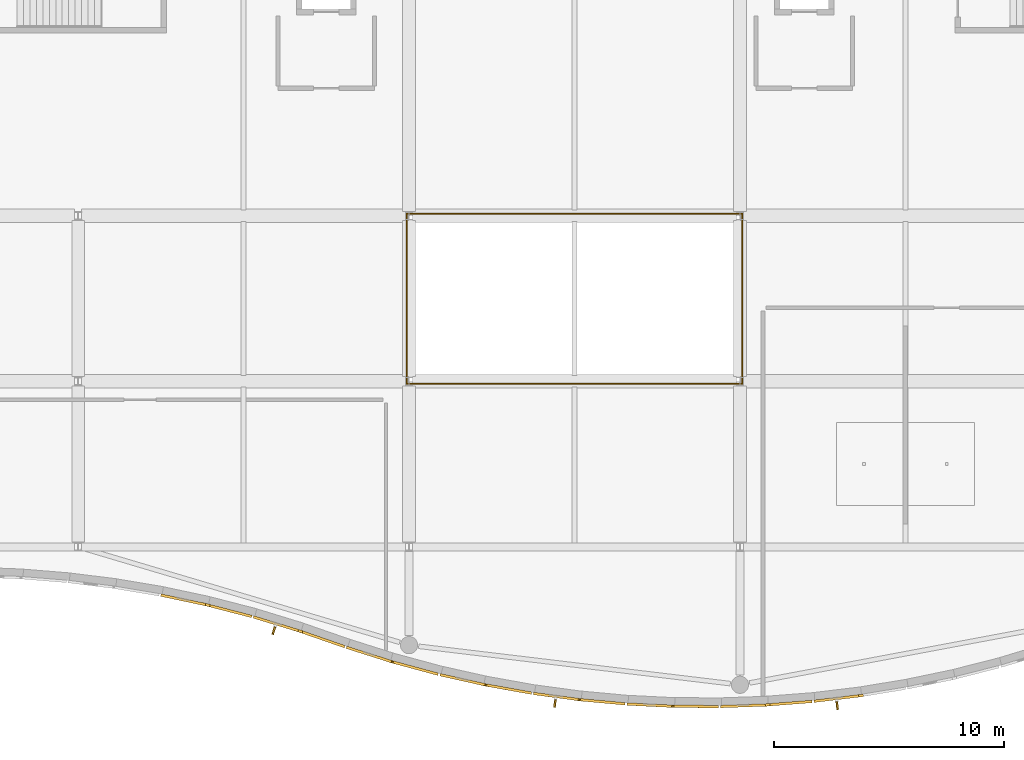
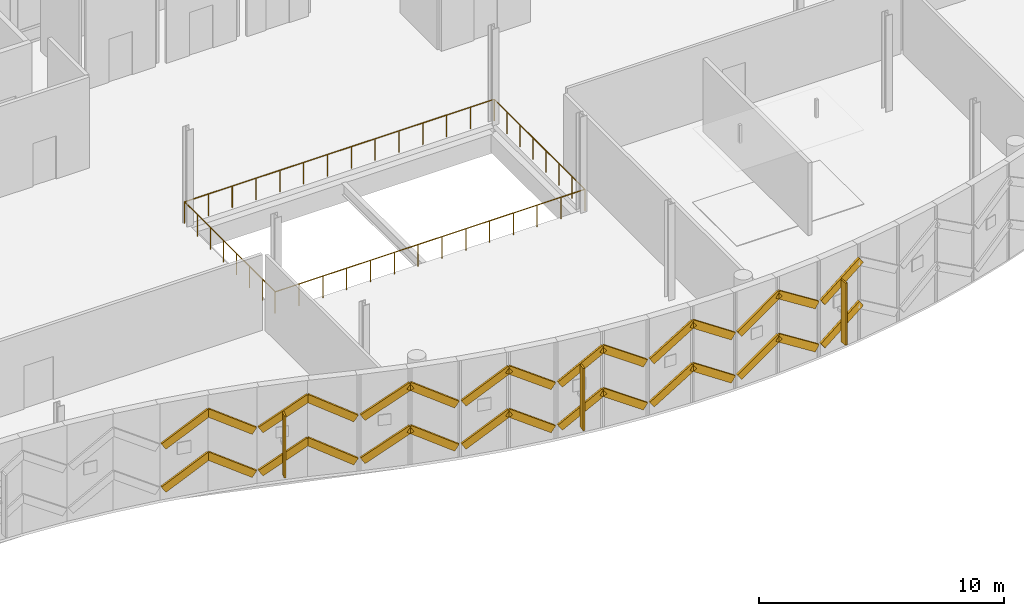
# One storey, part 173 of 193: 30 coverings, 4 railings, 3 shading devices.
"""IFC4 building model written with IfcOpenShell, lengths in metres."""

from ifc_helpers import new_model, si_unit, direction, frame, origin, origin_2d, place, context, subcontext, project, spatial, polyline, rectangle, circle, outline, extrude, material, layer, layer_set, type_object, element, save


model = new_model("IFC4")

# Units and contexts
model_context = context("Model", 3, precision=1e-05, world=origin(), true_north=direction((0.0, 1.0)))
body_context = subcontext(model_context, "Body", "Model", "MODEL_VIEW")
ifc_project = project(units=[si_unit("LENGTHUNIT", "METRE"), si_unit("AREAUNIT", "SQUARE_METRE"), si_unit("VOLUMEUNIT", "CUBIC_METRE"), si_unit("PLANEANGLEUNIT", "RADIAN"), si_unit("MASSUNIT", "GRAM", prefix="KILO")], contexts=[model_context])

# Site, building, storey
site_placement = place(None, origin())
site = spatial("IfcSite", under=ifc_project, at=site_placement, CompositionType="ELEMENT")
building_placement = place(site_placement, origin())
building = spatial("IfcBuilding", under=site, at=building_placement, Name="Cendralis Lancet Convention Centre", CompositionType="ELEMENT")
storey_placement = place(building_placement, frame((0.0, 0.0, 10.199951171875)))
storey = spatial("IfcBuildingStorey", under=building, at=storey_placement, Name="L02", CompositionType="ELEMENT", Elevation=10.199951171875)

# Coverings
ifc_material_1 = material(Name="Warm buff sandstone chevron cassette", Category="masonry")
ifc_layer_1 = layer(ifc_material_1, 0.06005859375, Name="Warm buff sandstone chevron cassette")
ifc_layer_set_1 = layer_set([ifc_layer_1], Name="Warm buff sandstone chevron cassette")
covering_type_1 = type_object("IfcCoveringType", Name="ARC-CV-CLAD1", PredefinedType="CLADDING", material=ifc_layer_set_1)
covering_1_placement = place(storey_placement, frame((32.38818359375, 5.04248046875, 0.699951171875), z_axis=(-0.535020732158, 0.113434100809, 0.837189059254), x_axis=(0.818930256898, -0.173892999751, 0.546913575416)))
element("IfcCovering", 1, at=covering_1_placement, inside=storey, type_object=covering_type_1, Name="L02 Diagonal Stone Chevron Relief CL-ST1 #0099", PredefinedType="CLADDING", context=body_context, shape_type="SweptSolid", body=[
    extrude(outline(polyline([(0.0, 0.0), (2.3769644960736502, 1.3002294553532412e-16), (2.3770359392519813, 0.11008464103704459), (-0.0001284909664191619, 0.1100339525686559), (0.0, 0.0)])), origin(), (0.0, 0.0, -1.0), 0.360107421875),
])
covering_2_placement = place(storey_placement, frame((34.401611328125, 4.61328125, 2.0), z_axis=(0.525708737649, -0.135336917587, 0.839829888667), x_axis=(0.813251866654, -0.209608349465, -0.542849648814)))
element("IfcCovering", 2, at=covering_2_placement, inside=storey, type_object=covering_type_1, Name="L02 Diagonal Stone Chevron Relief CL-ST1 #0105", PredefinedType="CLADDING", context=body_context, shape_type="SweptSolid", body=[
    extrude(outline(polyline([(0.0, 0.0), (2.394760568051212, -1.2468324983583301e-17), (2.3948334714241444, 0.1101985557260967), (-0.00012564444607509814, 0.11013764191872884), (0.0, 0.0)])), origin(), (0.0, 0.0, -1.0), 0.360107421875),
])
covering_3_placement = place(storey_placement, frame((36.414794921875, 4.093017578125, 0.699951171875), z_axis=(-0.514317451293, 0.157700124438, 0.842975818186), x_axis=(0.806255903693, -0.246089379247, 0.53795114572)))
element("IfcCovering", 3, at=covering_3_placement, inside=storey, type_object=covering_type_1, Name="L02 Diagonal Stone Chevron Relief CL-ST1 #0111", PredefinedType="CLADDING", context=body_context, shape_type="SweptSolid", body=[
    extrude(outline(polyline([(0.0, 0.0), (2.416697252485655, 7.752045533271357e-17), (2.4167854499543617, 0.11004890548893434), (0.00014827788356162538, 0.10981542602304782), (0.0, 0.0)])), origin(), (0.0, 0.0, -1.0), 0.360107421875),
])
covering_4_placement = place(storey_placement, frame((38.4296875, 3.4765625, 2.0), z_axis=(0.503224682855, -0.175034672297, 0.846243335016), x_axis=(0.799360481452, -0.277760008608, -0.532796582488)))
element("IfcCovering", 4, at=covering_4_placement, inside=storey, type_object=covering_type_1, Name="L02 Diagonal Stone Chevron Relief CL-ST1 #0117", PredefinedType="CLADDING", context=body_context, shape_type="SweptSolid", body=[
    extrude(outline(polyline([(0.0, 0.0), (2.4400132988194647, 7.451179430406629e-17), (2.440076127822473, 0.10987112768012615), (-4.9834990936172e-06, 0.11010173555877661), (0.0, 0.0)])), origin(), (0.0, 0.0, -1.0), 0.360107421875),
])
covering_5_placement = place(storey_placement, frame((40.462890625, 2.771240234375, 0.699951171875), z_axis=(-0.511337774202, 0.162508978297, 0.843874701983), x_axis=(0.804316544098, -0.255341790384, 0.536540275257)))
element("IfcCovering", 5, at=covering_5_placement, inside=storey, type_object=covering_type_1, Name="L02 Diagonal Stone Chevron Relief CL-ST1 #0123", PredefinedType="CLADDING", context=body_context, shape_type="SweptSolid", body=[
    extrude(outline(polyline([(0.0, 0.0), (2.4228925091726596, -6.483528991463317e-17), (2.423051136728038, 0.10994719677205798), (-0.00010007809268892942, 0.11010599232988509), (0.0, 0.0)])), origin(), (0.0, 0.0, -1.0), 0.360107421875),
])
covering_6_placement = place(storey_placement, frame((42.49951171875, 2.126708984375, 2.0), z_axis=(0.522763146144, -0.141807014356, 0.840600656503), x_axis=(0.811516389354, -0.219205041246, -0.541655148321)))
element("IfcCovering", 6, at=covering_6_placement, inside=storey, type_object=covering_type_1, Name="L02 Diagonal Stone Chevron Relief CL-ST1 #0129", PredefinedType="CLADDING", context=body_context, shape_type="SweptSolid", body=[
    extrude(outline(polyline([(0.0, 0.0), (2.400141182362894, 1.1741909528018013e-16), (2.4002399960840637, 0.11003914856688213), (9.881372116942941e-05, 0.11003914856688203), (0.0, 0.0)])), origin(), (0.0, 0.0, -1.0), 0.360107421875),
])
covering_7_placement = place(storey_placement, frame((44.5361328125, 1.57861328125, 0.699951171875), z_axis=(-0.53277069084, 0.1192679842, 0.837812949844), x_axis=(0.817605654926, -0.182897613704, 0.545957375565)))
element("IfcCovering", 7, at=covering_7_placement, inside=storey, type_object=covering_type_1, Name="L02 Diagonal Stone Chevron Relief CL-ST1 #0135", PredefinedType="CLADDING", context=body_context, shape_type="SweptSolid", body=[
    extrude(outline(polyline([(0.0, 0.0), (2.381327506291326, 4.4398078963281407e-17), (2.3812421557427212, 0.11005403546716523), (0.00011426020699233097, 0.11010734338340043), (0.0, 0.0)])), origin(), (0.0, 0.0, -1.0), 0.360107421875),
])
covering_8_placement = place(storey_placement, frame((46.572509765625, 1.125, 2.0), z_axis=(0.54056984963, -0.096791223076, 0.835712687953), x_axis=(0.822617547187, -0.147363731386, -0.549166916094)))
element("IfcCovering", 8, at=covering_8_placement, inside=storey, type_object=covering_type_1, Name="L02 Diagonal Stone Chevron Relief CL-ST1 #0141", PredefinedType="CLADDING", context=body_context, shape_type="SweptSolid", body=[
    extrude(outline(polyline([(0.0, 0.0), (2.367411321841086, 1.9081958235744878e-17), (2.3673032382210972, 0.11010085287617681), (9.275074211759562e-05, 0.11014389688924925), (0.0, 0.0)])), origin(), (0.0, 0.0, -1.0), 0.360107421875),
])
covering_9_placement = place(storey_placement, frame((48.610107421875, 0.761962890625, 0.699951171875), z_axis=(-0.547108722041, 0.074132312841, 0.833772418865), x_axis=(0.826303815869, -0.111348835484, 0.552108178454)))
element("IfcCovering", 9, at=covering_9_placement, inside=storey, type_object=covering_type_1, Name="L02 Diagonal Stone Chevron Relief CL-ST1 #0147", PredefinedType="CLADDING", context=body_context, shape_type="SweptSolid", body=[
    extrude(outline(polyline([(0.0, 0.0), (2.354786648451563, 3.8272336688738307e-17), (2.354766298921833, 0.10986760438700886), (0.0001542000260283012, 0.11014220916614062), (0.0, 0.0)])), origin(), (0.0, 0.0, -1.0), 0.360107421875),
])
covering_10_placement = place(storey_placement, frame((50.646484375, 0.489501953125, 2.0), z_axis=(0.551705119851, -0.050434581748, 0.832512951067), x_axis=(0.828984080872, -0.076572825367, -0.554005411594)))
element("IfcCovering", 10, at=covering_10_placement, inside=storey, type_object=covering_type_1, Name="L02 Diagonal Stone Chevron Relief CL-ST1 #0153", PredefinedType="CLADDING", context=body_context, shape_type="SweptSolid", body=[
    extrude(outline(polyline([(0.0, 0.0), (2.3466263604979347, -4.0766001685454967e-17), (2.3465491440798187, 0.10983205375749333), (-9.591095555894387e-05, 0.11007516596588111), (0.0, 0.0)])), origin(), (0.0, 0.0, -1.0), 0.360107421875),
])
covering_11_placement = place(storey_placement, frame((52.6826171875, 0.30322265625, 0.699951171875), z_axis=(-0.5544874279, 0.028340468537, 0.831709390439), x_axis=(0.830678916319, -0.041393188123, 0.555210898632)))
element("IfcCovering", 11, at=covering_11_placement, inside=storey, type_object=covering_type_1, Name="L02 Diagonal Stone Chevron Relief CL-ST1 #0159", PredefinedType="CLADDING", context=body_context, shape_type="SweptSolid", body=[
    extrude(outline(polyline([(0.0, 0.0), (2.3415405413123525, -4.553649124439119e-18), (2.3416574066492264, 0.11000662601223539), (0.0001168653368736677, 0.11000662601223538), (0.0, 0.0)])), origin(), (0.0, 0.0, -1.0), 0.360107421875),
])
covering_12_placement = place(storey_placement, frame((54.71923828125, 0.20361328125, 2.0), z_axis=(0.555693929595, -0.00308034329, 0.831381241126), x_axis=(0.8313616682, -0.00573930794, -0.55570211174)))
element("IfcCovering", 12, at=covering_12_placement, inside=storey, type_object=covering_type_1, Name="L02 Diagonal Stone Chevron Relief CL-ST1 #0165", PredefinedType="CLADDING", context=body_context, shape_type="SweptSolid", body=[
    extrude(outline(polyline([(0.0, 0.0), (2.339572221069478, 2.710505431213761e-18), (2.3393462189834446, 0.11010825169886358), (-2.3032928758005377e-05, 0.1101098345372985), (0.0, 0.0)])), origin(), (0.0, 0.0, -1.0), 0.360107421875),
])
covering_13_placement = place(storey_placement, frame((56.755126953125, 0.19140625, 0.699951171875), z_axis=(-0.554912688637, -0.019092445447, 0.831689477219), x_axis=(0.831191364084, 0.028780427724, 0.555241031672)))
element("IfcCovering", 13, at=covering_13_placement, inside=storey, type_object=covering_type_1, Name="L02 Diagonal Stone Chevron Relief CL-ST1 #0171", PredefinedType="CLADDING", context=body_context, shape_type="SweptSolid", body=[
    extrude(outline(polyline([(0.0, 0.0), (2.3413154918991372, -5.149960319306146e-18), (2.341433490437849, 0.10992421666886182), (-7.790256879810402e-05, 0.11017664359581143), (0.0, 0.0)])), origin(), (0.0, 0.0, -1.0), 0.360107421875),
])
covering_14_placement = place(storey_placement, frame((58.792236328125, 0.263916015625, 2.0), z_axis=(0.552825193086, 0.043093277857, 0.832182236829), x_axis=(0.829722549391, 0.06393695348, -0.554502080259)))
element("IfcCovering", 14, at=covering_14_placement, inside=storey, type_object=covering_type_1, Name="L02 Diagonal Stone Chevron Relief CL-ST1 #0177", PredefinedType="CLADDING", context=body_context, shape_type="SweptSolid", body=[
    extrude(outline(polyline([(0.0, 0.0), (2.3445337256749323, -3.686287386450715e-18), (2.344452525207083, 0.1099516488630225), (-8.120046784901476e-05, 0.10995164886302251), (0.0, 0.0)])), origin(), (0.0, 0.0, -1.0), 0.360107421875),
])
covering_15_placement = place(storey_placement, frame((60.828369140625, 0.422607421875, 0.699951171875), z_axis=(-0.548851821664, -0.066156246361, 0.833297683258), x_axis=(0.827316196312, 0.099664142108, 0.552824538256)))
element("IfcCovering", 15, at=covering_15_placement, inside=storey, type_object=covering_type_1, Name="L02 Diagonal Stone Chevron Relief CL-ST1 #0183", PredefinedType="CLADDING", context=body_context, shape_type="SweptSolid", body=[
    extrude(outline(polyline([(0.0, 0.0), (2.3516481960561664, -4.063725267747231e-17), (2.351641960964268, 0.11016668157972566), (-6.235091898242756e-06, 0.11016668157972569), (0.0, 0.0)])), origin(), (0.0, 0.0, -1.0), 0.360107421875),
])
ifc_material_2 = material(Name="Dark Andean slate chevron cassette", Category="masonry")
ifc_layer_2 = layer(ifc_material_2, 0.06005859375, Name="Dark Andean slate chevron cassette")
ifc_layer_set_2 = layer_set([ifc_layer_2], Name="Dark Andean slate chevron cassette")
covering_type_2 = type_object("IfcCoveringType", Name="ARC-CV-CLAD2", PredefinedType="CLADDING", material=ifc_layer_set_2)
covering_16_placement = place(storey_placement, frame((32.38818359375, 5.04248046875, 2.85009765625), z_axis=(-0.535020732158, 0.113434100809, 0.837189059254), x_axis=(0.818930256898, -0.173892999751, 0.546913575416)))
element("IfcCovering", 16, at=covering_16_placement, inside=storey, type_object=covering_type_2, Name="L02 Diagonal Stone Chevron Relief CL-ST2 #0100", PredefinedType="CLADDING", context=body_context, shape_type="SweptSolid", body=[
    extrude(outline(polyline([(0.0, 0.0), (2.3769644960736502, 1.3002294553532412e-16), (2.3770359392519813, 0.11008464103704459), (-0.0001284909664191619, 0.1100339525686559), (0.0, 0.0)])), origin(), (0.0, 0.0, -1.0), 0.360107421875),
])
covering_17_placement = place(storey_placement, frame((34.401611328125, 4.61328125, 4.150146484375), z_axis=(0.525708737649, -0.135336917587, 0.839829888667), x_axis=(0.813251866654, -0.209608349465, -0.542849648814)))
element("IfcCovering", 17, at=covering_17_placement, inside=storey, type_object=covering_type_2, Name="L02 Diagonal Stone Chevron Relief CL-ST2 #0106", PredefinedType="CLADDING", context=body_context, shape_type="SweptSolid", body=[
    extrude(outline(polyline([(0.0, 0.0), (2.394760568051212, -1.2468324983583301e-17), (2.3948334714241444, 0.1101985557260967), (-0.00012564444607509814, 0.11013764191872884), (0.0, 0.0)])), origin(), (0.0, 0.0, -1.0), 0.360107421875),
])
covering_18_placement = place(storey_placement, frame((36.414794921875, 4.093017578125, 2.85009765625), z_axis=(-0.514317451293, 0.157700124438, 0.842975818186), x_axis=(0.806255903693, -0.246089379247, 0.53795114572)))
element("IfcCovering", 18, at=covering_18_placement, inside=storey, type_object=covering_type_2, Name="L02 Diagonal Stone Chevron Relief CL-ST2 #0112", PredefinedType="CLADDING", context=body_context, shape_type="SweptSolid", body=[
    extrude(outline(polyline([(0.0, 0.0), (2.416697252485655, 7.752045533271357e-17), (2.4167854499543617, 0.11004890548893434), (0.00014827788356162538, 0.10981542602304782), (0.0, 0.0)])), origin(), (0.0, 0.0, -1.0), 0.360107421875),
])
covering_19_placement = place(storey_placement, frame((38.4296875, 3.4765625, 4.150146484375), z_axis=(0.503224682855, -0.175034672297, 0.846243335016), x_axis=(0.799360481452, -0.277760008608, -0.532796582488)))
element("IfcCovering", 19, at=covering_19_placement, inside=storey, type_object=covering_type_2, Name="L02 Diagonal Stone Chevron Relief CL-ST2 #0118", PredefinedType="CLADDING", context=body_context, shape_type="SweptSolid", body=[
    extrude(outline(polyline([(0.0, 0.0), (2.4400132988194647, 7.451179430406629e-17), (2.440076127822473, 0.10987112768012615), (-4.9834990936172e-06, 0.11010173555877661), (0.0, 0.0)])), origin(), (0.0, 0.0, -1.0), 0.360107421875),
])
covering_20_placement = place(storey_placement, frame((40.462890625, 2.771240234375, 2.85009765625), z_axis=(-0.511337774202, 0.162508978297, 0.843874701983), x_axis=(0.804316544098, -0.255341790384, 0.536540275257)))
element("IfcCovering", 20, at=covering_20_placement, inside=storey, type_object=covering_type_2, Name="L02 Diagonal Stone Chevron Relief CL-ST2 #0124", PredefinedType="CLADDING", context=body_context, shape_type="SweptSolid", body=[
    extrude(outline(polyline([(0.0, 0.0), (2.4228925091726596, -6.483528991463317e-17), (2.423051136728038, 0.10994719677205798), (-0.00010007809268892942, 0.11010599232988509), (0.0, 0.0)])), origin(), (0.0, 0.0, -1.0), 0.360107421875),
])
covering_21_placement = place(storey_placement, frame((42.49951171875, 2.126708984375, 4.150146484375), z_axis=(0.522763146144, -0.141807014356, 0.840600656503), x_axis=(0.811516389354, -0.219205041246, -0.541655148321)))
element("IfcCovering", 21, at=covering_21_placement, inside=storey, type_object=covering_type_2, Name="L02 Diagonal Stone Chevron Relief CL-ST2 #0130", PredefinedType="CLADDING", context=body_context, shape_type="SweptSolid", body=[
    extrude(outline(polyline([(0.0, 0.0), (2.400141182362894, 1.1741909528018013e-16), (2.4002399960840637, 0.11003914856688213), (9.881372116942941e-05, 0.11003914856688203), (0.0, 0.0)])), origin(), (0.0, 0.0, -1.0), 0.360107421875),
])
covering_22_placement = place(storey_placement, frame((44.5361328125, 1.57861328125, 2.85009765625), z_axis=(-0.53277069084, 0.1192679842, 0.837812949844), x_axis=(0.817605654926, -0.182897613704, 0.545957375565)))
element("IfcCovering", 22, at=covering_22_placement, inside=storey, type_object=covering_type_2, Name="L02 Diagonal Stone Chevron Relief CL-ST2 #0136", PredefinedType="CLADDING", context=body_context, shape_type="SweptSolid", body=[
    extrude(outline(polyline([(0.0, 0.0), (2.381327506291326, 4.4398078963281407e-17), (2.3812421557427212, 0.11005403546716523), (0.00011426020699233097, 0.11010734338340043), (0.0, 0.0)])), origin(), (0.0, 0.0, -1.0), 0.360107421875),
])
covering_23_placement = place(storey_placement, frame((46.572509765625, 1.125, 4.150146484375), z_axis=(0.54056984963, -0.096791223076, 0.835712687953), x_axis=(0.822617547187, -0.147363731386, -0.549166916094)))
element("IfcCovering", 23, at=covering_23_placement, inside=storey, type_object=covering_type_2, Name="L02 Diagonal Stone Chevron Relief CL-ST2 #0142", PredefinedType="CLADDING", context=body_context, shape_type="SweptSolid", body=[
    extrude(outline(polyline([(0.0, 0.0), (2.367411321841086, 1.9081958235744878e-17), (2.3673032382210972, 0.11010085287617681), (9.275074211759562e-05, 0.11014389688924925), (0.0, 0.0)])), origin(), (0.0, 0.0, -1.0), 0.360107421875),
])
covering_24_placement = place(storey_placement, frame((48.610107421875, 0.761962890625, 2.85009765625), z_axis=(-0.547108722041, 0.074132312841, 0.833772418865), x_axis=(0.826303815869, -0.111348835484, 0.552108178454)))
element("IfcCovering", 24, at=covering_24_placement, inside=storey, type_object=covering_type_2, Name="L02 Diagonal Stone Chevron Relief CL-ST2 #0148", PredefinedType="CLADDING", context=body_context, shape_type="SweptSolid", body=[
    extrude(outline(polyline([(0.0, 0.0), (2.354786648451563, 3.8272336688738307e-17), (2.354766298921833, 0.10986760438700886), (0.0001542000260283012, 0.11014220916614062), (0.0, 0.0)])), origin(), (0.0, 0.0, -1.0), 0.360107421875),
])
covering_25_placement = place(storey_placement, frame((50.646484375, 0.489501953125, 4.150146484375), z_axis=(0.551705119851, -0.050434581748, 0.832512951067), x_axis=(0.828984080872, -0.076572825367, -0.554005411594)))
element("IfcCovering", 25, at=covering_25_placement, inside=storey, type_object=covering_type_2, Name="L02 Diagonal Stone Chevron Relief CL-ST2 #0154", PredefinedType="CLADDING", context=body_context, shape_type="SweptSolid", body=[
    extrude(outline(polyline([(0.0, 0.0), (2.3466263604979347, -4.0766001685454967e-17), (2.3465491440798187, 0.10983205375749333), (-9.591095555894387e-05, 0.11007516596588111), (0.0, 0.0)])), origin(), (0.0, 0.0, -1.0), 0.360107421875),
])
covering_26_placement = place(storey_placement, frame((52.6826171875, 0.30322265625, 2.85009765625), z_axis=(-0.5544874279, 0.028340468537, 0.831709390439), x_axis=(0.830678916319, -0.041393188123, 0.555210898632)))
element("IfcCovering", 26, at=covering_26_placement, inside=storey, type_object=covering_type_2, Name="L02 Diagonal Stone Chevron Relief CL-ST2 #0160", PredefinedType="CLADDING", context=body_context, shape_type="SweptSolid", body=[
    extrude(outline(polyline([(0.0, 0.0), (2.3415405413123525, -4.553649124439119e-18), (2.3416574066492264, 0.11000662601223539), (0.0001168653368736677, 0.11000662601223538), (0.0, 0.0)])), origin(), (0.0, 0.0, -1.0), 0.360107421875),
])
covering_27_placement = place(storey_placement, frame((54.71923828125, 0.20361328125, 4.150146484375), z_axis=(0.555693929595, -0.00308034329, 0.831381241126), x_axis=(0.8313616682, -0.00573930794, -0.55570211174)))
element("IfcCovering", 27, at=covering_27_placement, inside=storey, type_object=covering_type_2, Name="L02 Diagonal Stone Chevron Relief CL-ST2 #0166", PredefinedType="CLADDING", context=body_context, shape_type="SweptSolid", body=[
    extrude(outline(polyline([(0.0, 0.0), (2.339572221069478, 2.710505431213761e-18), (2.3393462189834446, 0.11010825169886358), (-2.3032928758005377e-05, 0.1101098345372985), (0.0, 0.0)])), origin(), (0.0, 0.0, -1.0), 0.360107421875),
])
covering_28_placement = place(storey_placement, frame((56.755126953125, 0.19140625, 2.85009765625), z_axis=(-0.554912688637, -0.019092445447, 0.831689477219), x_axis=(0.831191364084, 0.028780427724, 0.555241031672)))
element("IfcCovering", 28, at=covering_28_placement, inside=storey, type_object=covering_type_2, Name="L02 Diagonal Stone Chevron Relief CL-ST2 #0172", PredefinedType="CLADDING", context=body_context, shape_type="SweptSolid", body=[
    extrude(outline(polyline([(0.0, 0.0), (2.3413154918991372, -5.149960319306146e-18), (2.341433490437849, 0.10992421666886182), (-7.790256879810402e-05, 0.11017664359581143), (0.0, 0.0)])), origin(), (0.0, 0.0, -1.0), 0.360107421875),
])
covering_29_placement = place(storey_placement, frame((58.792236328125, 0.263916015625, 4.150146484375), z_axis=(0.552825193086, 0.043093277857, 0.832182236829), x_axis=(0.829722549391, 0.06393695348, -0.554502080259)))
element("IfcCovering", 29, at=covering_29_placement, inside=storey, type_object=covering_type_2, Name="L02 Diagonal Stone Chevron Relief CL-ST2 #0178", PredefinedType="CLADDING", context=body_context, shape_type="SweptSolid", body=[
    extrude(outline(polyline([(0.0, 0.0), (2.3445337256749323, -3.686287386450715e-18), (2.344452525207083, 0.1099516488630225), (-8.120046784901476e-05, 0.10995164886302251), (0.0, 0.0)])), origin(), (0.0, 0.0, -1.0), 0.360107421875),
])
covering_30_placement = place(storey_placement, frame((60.828369140625, 0.422607421875, 2.85009765625), z_axis=(-0.548851821664, -0.066156246361, 0.833297683258), x_axis=(0.827316196312, 0.099664142108, 0.552824538256)))
element("IfcCovering", 30, at=covering_30_placement, inside=storey, type_object=covering_type_2, Name="L02 Diagonal Stone Chevron Relief CL-ST2 #0184", PredefinedType="CLADDING", context=body_context, shape_type="SweptSolid", body=[
    extrude(outline(polyline([(0.0, 0.0), (2.3516481960561664, -4.063725267747231e-17), (2.351641960964268, 0.11016668157972566), (-6.235091898242756e-06, 0.11016668157972569), (0.0, 0.0)])), origin(), (0.0, 0.0, -1.0), 0.360107421875),
])

# Railings
ifc_material_3 = material(Name="Steel S355", Category="steel")
railing_type = type_object("IfcRailingType", Name="ARC-RL-IG01", PredefinedType="GUARDRAIL", material=ifc_material_3)
railing_1_placement = place(storey_placement, frame((43.10009765625, 14.300048828125, 0.0)))
element("IfcRailing", 31, at=railing_1_placement, inside=storey, type_object=railing_type, Name="L02 Atrium Void Guardrail GD-IN1 #021", PredefinedType="GUARDRAIL", context=body_context, shape_type="SweptSolid", body=[
    extrude(circle(Radius=0.02392578125, at=origin_2d()), frame((0.0, 0.0, 1.076171875), z_axis=(1.0, 0.0, 0.0), x_axis=(0.0, 1.0, 0.0)), (0.0, 0.0, 1.0), 14.599853515625),
    extrude(circle(Radius=0.02099609375, at=origin_2d()), origin(), (0.0, 0.0, 1.0), 1.052001953125),
    extrude(circle(Radius=0.02099609375, at=origin_2d()), frame((1.123046875, 0.0, 0.0)), (0.0, 0.0, 1.0), 1.052001953125),
    extrude(circle(Radius=0.02099609375, at=origin_2d()), frame((2.24609375, 0.0, 0.0)), (0.0, 0.0, 1.0), 1.052001953125),
    extrude(circle(Radius=0.02099609375, at=origin_2d()), frame((3.369140625, 0.0, 0.0)), (0.0, 0.0, 1.0), 1.052001953125),
    extrude(circle(Radius=0.02099609375, at=origin_2d()), frame((4.4921875, 0.0, 0.0)), (0.0, 0.0, 1.0), 1.052001953125),
    extrude(circle(Radius=0.02099609375, at=origin_2d()), frame((5.615234375, 0.0, 0.0)), (0.0, 0.0, 1.0), 1.052001953125),
    extrude(circle(Radius=0.02099609375, at=origin_2d()), frame((6.73828125, 0.0, 0.0)), (0.0, 0.0, 1.0), 1.052001953125),
    extrude(circle(Radius=0.02099609375, at=origin_2d()), frame((7.861572265625, 0.0, 0.0)), (0.0, 0.0, 1.0), 1.052001953125),
    extrude(circle(Radius=0.02099609375, at=origin_2d()), frame((8.984619140625, 0.0, 0.0)), (0.0, 0.0, 1.0), 1.052001953125),
    extrude(circle(Radius=0.02099609375, at=origin_2d()), frame((10.107666015625, 0.0, 0.0)), (0.0, 0.0, 1.0), 1.052001953125),
    extrude(circle(Radius=0.02099609375, at=origin_2d()), frame((11.230712890625, 0.0, 0.0)), (0.0, 0.0, 1.0), 1.052001953125),
    extrude(circle(Radius=0.02099609375, at=origin_2d()), frame((12.353759765625, 0.0, 0.0)), (0.0, 0.0, 1.0), 1.052001953125),
    extrude(circle(Radius=0.02099609375, at=origin_2d()), frame((13.476806640625, 0.0, 0.0)), (0.0, 0.0, 1.0), 1.052001953125),
    extrude(circle(Radius=0.02099609375, at=origin_2d()), frame((14.599853515625, 0.0, 0.0)), (0.0, 0.0, 1.0), 1.052001953125),
])
railing_2_placement = place(storey_placement, frame((57.699951171875, 14.300048828125, 0.0)))
element("IfcRailing", 32, at=railing_2_placement, inside=storey, type_object=railing_type, Name="L02 Atrium Void Guardrail GD-IN1 #022", PredefinedType="GUARDRAIL", context=body_context, shape_type="SweptSolid", body=[
    extrude(circle(Radius=0.02392578125, at=origin_2d()), frame((0.0, 0.0, 1.076171875), z_axis=(0.0, 1.0, 0.0), x_axis=(-1.0, 0.0, 0.0)), (0.0, 0.0, 1.0), 7.39990234375),
    extrude(circle(Radius=0.02099609375, at=origin_2d()), origin(), (0.0, 0.0, 1.0), 1.052001953125),
    extrude(circle(Radius=0.02099609375, at=origin_2d()), frame((0.0, 1.05712890625, 0.0)), (0.0, 0.0, 1.0), 1.052001953125),
    extrude(circle(Radius=0.02099609375, at=origin_2d()), frame((0.0, 2.1142578125, 0.0)), (0.0, 0.0, 1.0), 1.052001953125),
    extrude(circle(Radius=0.02099609375, at=origin_2d()), frame((0.0, 3.17138671875, 0.0)), (0.0, 0.0, 1.0), 1.052001953125),
    extrude(circle(Radius=0.02099609375, at=origin_2d()), frame((0.0, 4.228515625, 0.0)), (0.0, 0.0, 1.0), 1.052001953125),
    extrude(circle(Radius=0.02099609375, at=origin_2d()), frame((0.0, 5.28564453125, 0.0)), (0.0, 0.0, 1.0), 1.052001953125),
    extrude(circle(Radius=0.02099609375, at=origin_2d()), frame((0.0, 6.3427734375, 0.0)), (0.0, 0.0, 1.0), 1.052001953125),
    extrude(circle(Radius=0.02099609375, at=origin_2d()), frame((0.0, 7.39990234375, 0.0)), (0.0, 0.0, 1.0), 1.052001953125),
])
railing_3_placement = place(storey_placement, frame((57.699951171875, 21.699951171875, 0.0)))
element("IfcRailing", 33, at=railing_3_placement, inside=storey, type_object=railing_type, Name="L02 Atrium Void Guardrail GD-IN1 #023", PredefinedType="GUARDRAIL", context=body_context, shape_type="SweptSolid", body=[
    extrude(circle(Radius=0.02392578125, at=origin_2d()), frame((0.0, 0.0, 1.076171875), z_axis=(-1.0, 0.0, 0.0), x_axis=(0.0, -1.0, 0.0)), (0.0, 0.0, 1.0), 14.599853515625),
    extrude(circle(Radius=0.02099609375, at=origin_2d()), origin(), (0.0, 0.0, 1.0), 1.052001953125),
    extrude(circle(Radius=0.02099609375, at=origin_2d()), frame((-1.123046875, 0.0, 0.0)), (0.0, 0.0, 1.0), 1.052001953125),
    extrude(circle(Radius=0.02099609375, at=origin_2d()), frame((-2.24609375, 0.0, 0.0)), (0.0, 0.0, 1.0), 1.052001953125),
    extrude(circle(Radius=0.02099609375, at=origin_2d()), frame((-3.369140625, 0.0, 0.0)), (0.0, 0.0, 1.0), 1.052001953125),
    extrude(circle(Radius=0.02099609375, at=origin_2d()), frame((-4.4921875, 0.0, 0.0)), (0.0, 0.0, 1.0), 1.052001953125),
    extrude(circle(Radius=0.02099609375, at=origin_2d()), frame((-5.615234375, 0.0, 0.0)), (0.0, 0.0, 1.0), 1.052001953125),
    extrude(circle(Radius=0.02099609375, at=origin_2d()), frame((-6.73828125, 0.0, 0.0)), (0.0, 0.0, 1.0), 1.052001953125),
    extrude(circle(Radius=0.02099609375, at=origin_2d()), frame((-7.861572265625, 0.0, 0.0)), (0.0, 0.0, 1.0), 1.052001953125),
    extrude(circle(Radius=0.02099609375, at=origin_2d()), frame((-8.984619140625, 0.0, 0.0)), (0.0, 0.0, 1.0), 1.052001953125),
    extrude(circle(Radius=0.02099609375, at=origin_2d()), frame((-10.107666015625, 0.0, 0.0)), (0.0, 0.0, 1.0), 1.052001953125),
    extrude(circle(Radius=0.02099609375, at=origin_2d()), frame((-11.230712890625, 0.0, 0.0)), (0.0, 0.0, 1.0), 1.052001953125),
    extrude(circle(Radius=0.02099609375, at=origin_2d()), frame((-12.353759765625, 0.0, 0.0)), (0.0, 0.0, 1.0), 1.052001953125),
    extrude(circle(Radius=0.02099609375, at=origin_2d()), frame((-13.476806640625, 0.0, 0.0)), (0.0, 0.0, 1.0), 1.052001953125),
    extrude(circle(Radius=0.02099609375, at=origin_2d()), frame((-14.599853515625, 0.0, 0.0)), (0.0, 0.0, 1.0), 1.052001953125),
])
railing_4_placement = place(storey_placement, frame((43.10009765625, 21.699951171875, 0.0)))
element("IfcRailing", 34, at=railing_4_placement, inside=storey, type_object=railing_type, Name="L02 Atrium Void Guardrail GD-IN1 #024", PredefinedType="GUARDRAIL", context=body_context, shape_type="SweptSolid", body=[
    extrude(circle(Radius=0.02392578125, at=origin_2d()), frame((0.0, 0.0, 1.076171875), z_axis=(0.0, -1.0, 0.0), x_axis=(1.0, 0.0, 0.0)), (0.0, 0.0, 1.0), 7.39990234375),
    extrude(circle(Radius=0.02099609375, at=origin_2d()), origin(), (0.0, 0.0, 1.0), 1.052001953125),
    extrude(circle(Radius=0.02099609375, at=origin_2d()), frame((0.0, -1.05712890625, 0.0)), (0.0, 0.0, 1.0), 1.052001953125),
    extrude(circle(Radius=0.02099609375, at=origin_2d()), frame((0.0, -2.1142578125, 0.0)), (0.0, 0.0, 1.0), 1.052001953125),
    extrude(circle(Radius=0.02099609375, at=origin_2d()), frame((0.0, -3.17138671875, 0.0)), (0.0, 0.0, 1.0), 1.052001953125),
    extrude(circle(Radius=0.02099609375, at=origin_2d()), frame((0.0, -4.228515625, 0.0)), (0.0, 0.0, 1.0), 1.052001953125),
    extrude(circle(Radius=0.02099609375, at=origin_2d()), frame((0.0, -5.28564453125, 0.0)), (0.0, 0.0, 1.0), 1.052001953125),
    extrude(circle(Radius=0.02099609375, at=origin_2d()), frame((0.0, -6.3427734375, 0.0)), (0.0, 0.0, 1.0), 1.052001953125),
    extrude(circle(Radius=0.02099609375, at=origin_2d()), frame((0.0, -7.39990234375, 0.0)), (0.0, 0.0, 1.0), 1.052001953125),
])

# Shading devices
ifc_material_4 = material(Name="Anodised bronze architectural aluminium", Category="aluminium")
shading_device_type = type_object("IfcShadingDeviceType", Name="ARC-SH-FIN1", PredefinedType="USERDEFINED", material=ifc_material_4)
for number, where, z_axis, x_axis, name in (
    (35, (37.314697265625, 3.551513671875, 0.449951171875), (0.0, 0.0, 1.0), (0.95645261608, -0.29188763796, 0.0), "Anodised Bronze Lancet Solar Fin SF-01 #008"),
    (36, (49.549072265625, 0.378173828125, 0.449951171875), (0.0, 0.0, 1.0), (0.991034573663, -0.133605665318, 0.0), "Anodised Bronze Lancet Solar Fin SF-01 #010"),
    (37, (61.831787109375, 0.28662109375, 0.449951171875), (0.0, 0.0, 1.0), (0.992818021481, 0.119634343823, 0.0), "Anodised Bronze Lancet Solar Fin SF-01 #012"),
):
    element("IfcShadingDevice", number, at=place(storey_placement, frame(where, z_axis=z_axis, x_axis=x_axis)), inside=storey, type_object=shading_device_type, Name=name, ObjectType="FIN", PredefinedType="USERDEFINED", context=body_context, shape_type="SweptSolid", body=[
        extrude(rectangle(XDim=0.080078125, YDim=0.340087890625, at=origin_2d()), origin(), (0.0, 0.0, 1.0), 3.10009765625),
    ])

save(model, "model.ifc")
